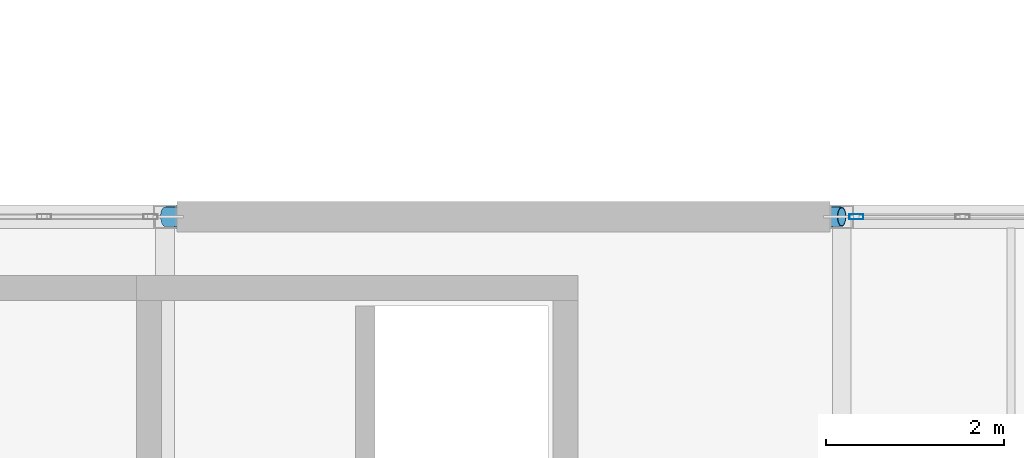
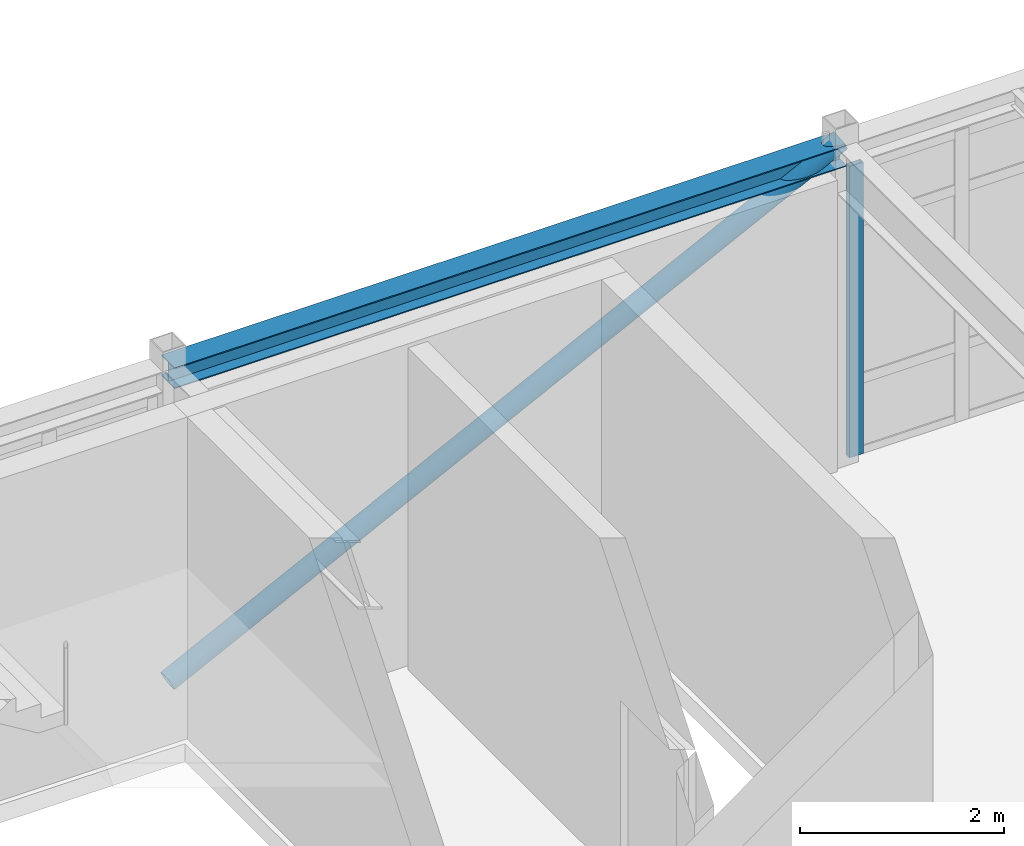
# One storey, part 77 of 189: 2 members, 1 beam, 1 element without a shape of its own.
"""IFC4 building model written with IfcOpenShell, lengths in metres."""

from ifc_helpers import new_model, si_unit, direction, frame, origin, origin_2d, place, context, subcontext, project, spatial, hollow_rectangle, hollow_circle, i_section, extrude, material, layer, layer_set, material_profile, profile_set, type_object, element, aggregate, save


model = new_model("IFC4")

# Units and contexts
model_context = context("Model", 3, precision=1e-05, world=origin(), true_north=direction((0.0, 1.0)))
body_context = subcontext(model_context, "Body", "Model", "MODEL_VIEW")
ifc_project = project(units=[si_unit("LENGTHUNIT", "METRE"), si_unit("AREAUNIT", "SQUARE_METRE"), si_unit("VOLUMEUNIT", "CUBIC_METRE"), si_unit("PLANEANGLEUNIT", "RADIAN"), si_unit("MASSUNIT", "GRAM", prefix="KILO")], contexts=[model_context])

# Site, building, storey
site_placement = place(None, origin())
site = spatial("IfcSite", under=ifc_project, at=site_placement, CompositionType="ELEMENT")
building_placement = place(site_placement, origin())
building = spatial("IfcBuilding", under=site, at=building_placement, Name="Montecoro Central Library", CompositionType="ELEMENT")
storey_placement = place(building_placement, frame((0.0, 0.0, 9.179931640625)))
storey = spatial("IfcBuildingStorey", under=building, at=storey_placement, Name="L02", CompositionType="ELEMENT", Elevation=9.179931640625)

# Beam
ifc_material_1 = material(Name="Steel S355", Category="steel")
ifc_material_profile_1 = material_profile(ifc_material_1, i_section(OverallWidth=0.260009765625, OverallDepth=0.25, WebThickness=0.007568359375, FlangeThickness=0.012451171875, at=origin_2d()), Name="HEA 260")
ifc_profile_set_1 = profile_set([ifc_material_profile_1], Name="Steel S355")
beam_type = type_object("IfcBeamType", Name="BM-SP-HEA260", PredefinedType="SPANDREL", material=ifc_profile_set_1)
beam_placement = place(storey_placement, frame((12.60498046875, 111.39990234375, 3.699951171875), z_axis=(1.0, 0.0, 0.0), x_axis=(0.0, 1.0, 0.0)))
element("IfcBeam", 1, at=beam_placement, inside=storey, type_object=beam_type, Name="V4-L02-BX-23-Q", PredefinedType="SPANDREL", context=body_context, shape_type="SweptSolid", body=[
    extrude(i_section(OverallWidth=0.260009765625, OverallDepth=0.25, WebThickness=0.007568359375, FlangeThickness=0.012451171875, at=origin_2d()), origin(), (0.0, 0.0, 1.0), 7.590087890625),
])

# Curtain wall, member
ifc_material_2 = material(Name="Bronze-anodised aluminium and low-E glazing", Category="aluminium")
ifc_layer = layer(ifc_material_2, 0.159912109375)
ifc_layer_set = layer_set([ifc_layer], Name="Bronze-anodised aluminium and low-E glazing")
curtain_wall_type = type_object("IfcCurtainWallType", Name="CWT-048", PredefinedType="NOTDEFINED", material=ifc_layer_set)
curtain_wall_placement = place(storey_placement, origin())
curtain_wall = element("IfcCurtainWall", 2, at=curtain_wall_placement, inside=storey, type_object=curtain_wall_type, Name="V4-L02-CW-N2", PredefinedType="NOTDEFINED")
ifc_material_3 = material(Name="Bronze-anodised aluminium", Category="aluminium")
ifc_material_profile_2 = material_profile(ifc_material_3, hollow_rectangle(XDim=0.06005859375, YDim=0.159912109375, WallThickness=0.00390625, at=origin_2d()), Name="CWM 160x60x4.0")
ifc_profile_set_2 = profile_set([ifc_material_profile_2], Name="Bronze-anodised aluminium")
member_type_1 = type_object("IfcMemberType", Name="CWM-BRZ-60", PredefinedType="MULLION", material=ifc_profile_set_2)
member_1_placement = place(storey_placement, frame((20.363037109375, 111.39990234375, 0.0), z_axis=(0.0, 0.0, 1.0), x_axis=(0.0, -1.0, 0.0)))
member_1 = element("IfcMember", 3, at=member_1_placement, type_object=member_type_1, Name="CW-048 mullion 7", PredefinedType="MULLION", context=body_context, shape_type="SweptSolid", body=[
    extrude(hollow_rectangle(XDim=0.06005859375, YDim=0.159912109375, WallThickness=0.00390625, at=origin_2d()), origin(), (0.0, 0.0, 1.0), 3.47998046875),
])
aggregate(curtain_wall, [member_1])

# Member
ifc_material_profile_3 = material_profile(ifc_material_1, hollow_circle(Radius=0.109619140625, WallThickness=0.010009765625, at=origin_2d()), Name="CHS 219.1x10.0")
ifc_profile_set_3 = profile_set([ifc_material_profile_3], Name="Steel S355")
member_type_2 = type_object("IfcMemberType", Name="MB-BR-CHS219", PredefinedType="BRACE", material=ifc_profile_set_3)
member_2_placement = place(storey_placement, frame((12.60009765625, 111.39990234375, 0.010009765625), z_axis=(0.89465125158, 0.0, 0.446765193415), x_axis=(0.0, 1.0, 0.0)))
element("IfcMember", 4, at=member_2_placement, inside=storey, type_object=member_type_2, Name="V4-L02-BRN1", PredefinedType="BRACE", context=body_context, shape_type="SweptSolid", body=[
    extrude(hollow_circle(Radius=0.109619140625, WallThickness=0.010009765625, at=origin_2d()), origin(), (0.0, 0.0, 1.0), 8.494873046875),
])

save(model, "model.ifc")
